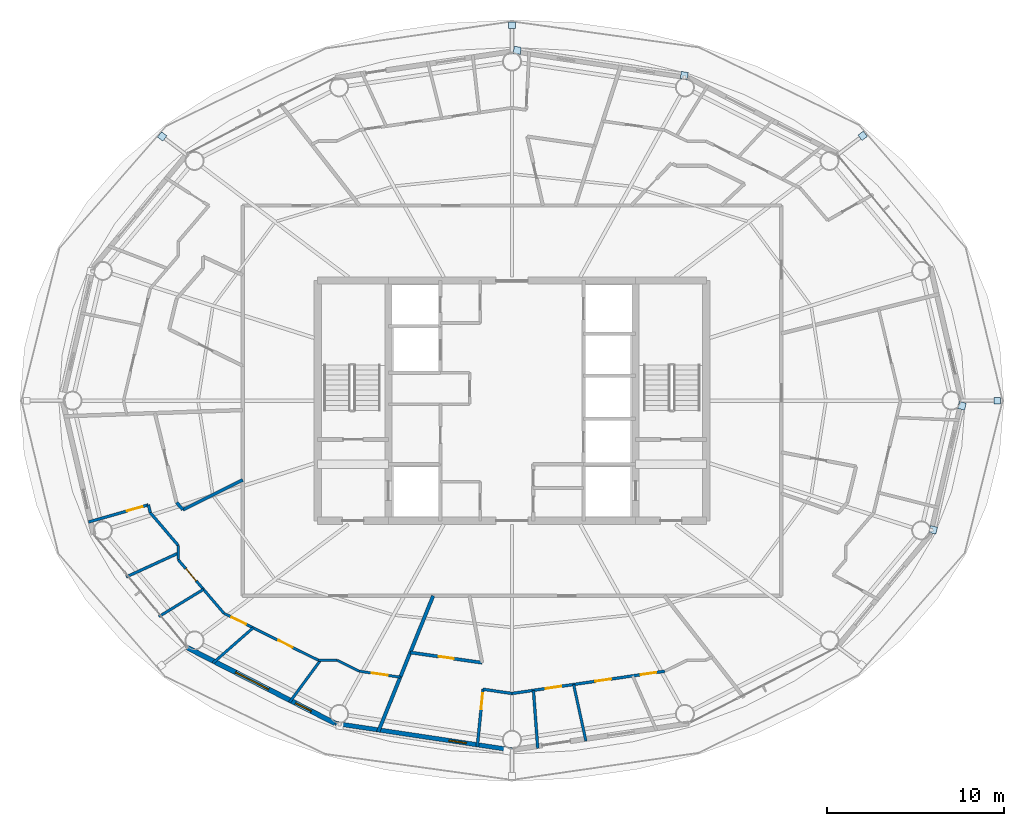
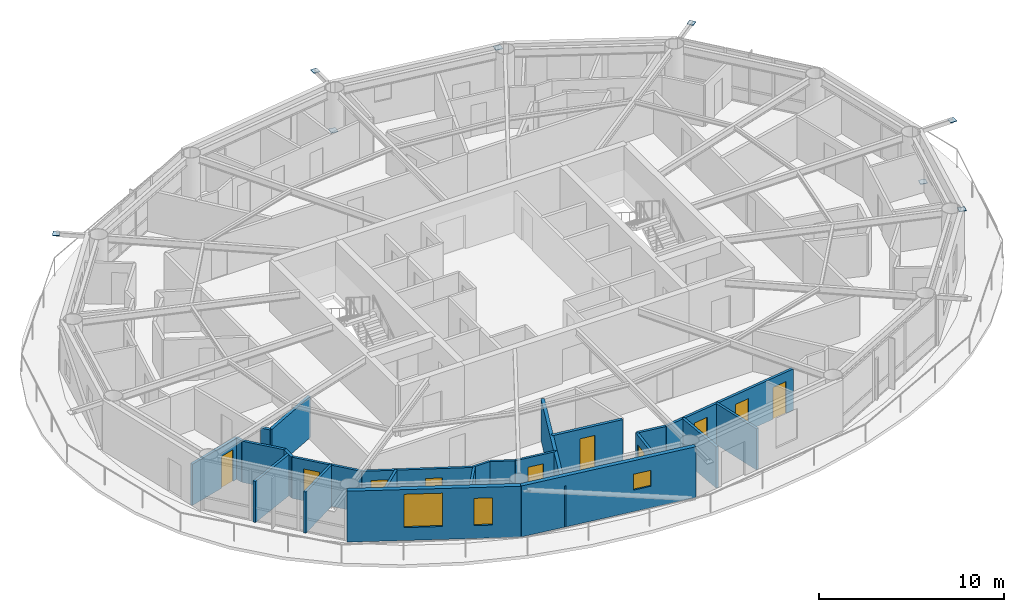
# One storey, part 15 of 23: 25 walls, 10 doors, 8 plates, 3 windows, 13 openings.
"""IFC4 building model written with IfcOpenShell, lengths in metres."""

from ifc_helpers import new_model, si_unit, direction, frame, frame_2d, origin, origin_2d, place, context, subcontext, project, spatial, rectangle, extrude, material, layer, layer_set, type_object, element, fill, save


model = new_model("IFC4")

# Units and contexts
model_context = context("Model", 3, precision=1e-05, world=origin(), true_north=direction((0.0, 1.0)))
body_context = subcontext(model_context, "Body", "Model", "MODEL_VIEW")
ifc_project = project(units=[si_unit("LENGTHUNIT", "METRE"), si_unit("AREAUNIT", "SQUARE_METRE"), si_unit("VOLUMEUNIT", "CUBIC_METRE"), si_unit("PLANEANGLEUNIT", "RADIAN"), si_unit("MASSUNIT", "GRAM", prefix="KILO")], contexts=[model_context])

# Site, building, storey
site_placement = place(None, origin())
site = spatial("IfcSite", under=ifc_project, at=site_placement, CompositionType="ELEMENT")
building_placement = place(site_placement, origin())
building = spatial("IfcBuilding", under=site, at=building_placement, Name="Sarneth Arch Tower", CompositionType="ELEMENT")
storey_placement = place(building_placement, frame((0.0, 0.0, 238.800048828125)))
storey = spatial("IfcBuildingStorey", under=building, at=storey_placement, Name="L61", CompositionType="ELEMENT", Elevation=238.800048828125)

# Plates
ifc_material_1 = material(Name="Steel S355", Category="steel")
ifc_layer_1 = layer(ifc_material_1, 0.035888671875)
ifc_layer_set_1 = layer_set([ifc_layer_1], Name="Steel S355")
plate_type = type_object("IfcPlateType", Name="PLT-GUSSET-30", PredefinedType="SHEET", material=ifc_layer_set_1)
for number, where, z_axis, x_axis, name in (
    (1, (75.481689453125, 42.0, 3.18212890625), (0.0, 0.0, 1.0), (1.0, 0.0, 0.0), "Steel end cap plate GP-1"),
    (2, (67.853515625, 56.9951171875, 3.18212890625), (0.0, 0.0, 1.0), (0.798004853043, 0.602651022168, 0.0), "Steel end cap plate GP-1"),
):
    element("IfcPlate", number, at=place(storey_placement, frame(where, z_axis=z_axis, x_axis=x_axis)), inside=storey, type_object=plate_type, Name=name, PredefinedType="SHEET", context=body_context, shape_type="SweptSolid", body=[
        extrude(rectangle(XDim=0.3798828125, YDim=0.3798828125, at=origin_2d()), origin(), (0.0, 0.0, 1.0), 0.035888671875),
    ])
for number, where, z_axis, x_axis, name in (
    (3, (48.296630859375, 61.83544921875, 0.001953125), (0.0, 0.0, 1.0), (-0.988860535448, 0.148845024885, 0.0), "Steel end cap plate GP-1"),
    (4, (57.754150390625, 60.411376953125, 3.0185546875), (0.0, 0.0, 1.0), (-0.988860535448, 0.148845024885, 0.0), "Steel end cap plate GP-1"),
):
    element("IfcPlate", number, at=place(storey_placement, frame(where, z_axis=z_axis, x_axis=x_axis)), inside=storey, type_object=plate_type, Name=name, PredefinedType="SHEET", context=body_context, shape_type="SweptSolid", body=[
        extrude(rectangle(XDim=0.404052734375, YDim=0.404052734375, at=origin_2d()), origin(), (0.0, 0.0, 1.0), 0.035888671875),
    ])
for number, where, z_axis, x_axis, name in (
    (5, (48.0, 63.25146484375, 3.18212890625), (0.0, 0.0, 1.0), (0.0, 1.0, 0.0), "Steel end cap plate GP-1"),
    (6, (28.1923828125, 56.96044921875, 3.18212890625), (0.0, 0.0, 1.0), (-0.798004853043, 0.602651022168, 0.0), "Steel end cap plate GP-1"),
):
    element("IfcPlate", number, at=place(storey_placement, frame(where, z_axis=z_axis, x_axis=x_axis)), inside=storey, type_object=plate_type, Name=name, PredefinedType="SHEET", context=body_context, shape_type="SweptSolid", body=[
        extrude(rectangle(XDim=0.3798828125, YDim=0.3798828125, at=origin_2d()), origin(), (0.0, 0.0, 1.0), 0.035888671875),
    ])
for number, where, z_axis, x_axis, name in (
    (7, (73.4765625, 41.707763671875, 0.001953125), (0.0, 0.0, 1.0), (0.225461202458, 0.974252147129, 0.0), "Steel end cap plate GP-1"),
    (8, (71.851806640625, 34.6845703125, 3.0185546875), (0.0, 0.0, 1.0), (0.225461202458, 0.974252147129, 0.0), "Steel end cap plate GP-1"),
):
    element("IfcPlate", number, at=place(storey_placement, frame(where, z_axis=z_axis, x_axis=x_axis)), inside=storey, type_object=plate_type, Name=name, PredefinedType="SHEET", context=body_context, shape_type="SweptSolid", body=[
        extrude(rectangle(XDim=0.404052734375, YDim=0.404052734375, at=origin_2d()), origin(), (0.0, 0.0, 1.0), 0.035888671875),
    ])

# Wall, opening, window
ifc_material_2 = material(Name="Extruded terracotta rainscreen on Concrete C40/50 backing", Category="masonry")
ifc_layer_2 = layer(ifc_material_2, 0.25)
ifc_layer_set_2 = layer_set([ifc_layer_2], Name="Extruded terracotta rainscreen on Concrete C40/50 backing")
wall_type_1 = type_object("IfcWallType", Name="WALL-EXT-SPAND-250", PredefinedType="SOLIDWALL", material=ifc_layer_set_2)
wall_1_placement = place(storey_placement, frame((37.9873046875, 23.7255859375, 0.0), z_axis=(0.0, 0.0, 1.0), x_axis=(0.988882522213, -0.148698881169, 0.0)))
wall_1 = element("IfcWall", 9, at=wall_1_placement, inside=storey, type_object=wall_type_1, Name="L61 Terracotta perimeter wall 12", PredefinedType="SOLIDWALL", context=body_context, shape_type="SweptSolid", body=[
    extrude(rectangle(XDim=10.125244140625, YDim=0.25, at=frame_2d((5.0625, 0.0))), origin(), (0.0, 0.0, 1.0), 3.35986328125),
])
opening_1_placement = place(wall_1_placement, frame((6.51611328125, 0.0, 1.419921875)))
opening_1 = element("IfcOpeningElement", 10, at=opening_1_placement, cuts=wall_1, Name="Opening W-14", PredefinedType="OPENING", context=body_context, shape_type="SweptSolid", body=[
    extrude(rectangle(XDim=1.0, YDim=1.050048828125, at=frame_2d((0.5, 0.52490234375))), frame((0.0, 0.135009765625, 0.0), z_axis=(0.0, -1.0, 0.0), x_axis=(1.0, 0.0, 0.0)), (0.0, 0.0, 1.0), 0.27001953125),
])
ifc_material_3 = material(Name="Thermally broken Aluminium 6063-T6 and low-e laminated IGU", Category="aluminium")
window_type_1 = type_object("IfcWindowType", Name="WIN-TWR-1000x1050", PartitioningType="SINGLE_PANEL", PredefinedType="WINDOW", material=ifc_material_3)
window_1_placement = place(opening_1_placement, origin())
window_1 = element("IfcWindow", 11, at=window_1_placement, inside=storey, type_object=window_type_1, Name="L61 Dwelling bedroom window 05", OverallHeight=1.050048828125, OverallWidth=1.0, PartitioningType="SINGLE_PANEL", PredefinedType="WINDOW", context=body_context, shape_type="SweptSolid", body=[
    extrude(rectangle(XDim=1.0, YDim=1.050048828125, at=frame_2d((0.5, 0.52490234375))), frame((0.0, 0.030029296875, 0.0), z_axis=(0.0, -1.0, 0.0), x_axis=(1.0, 0.0, 0.0)), (0.0, 0.0, 1.0), 0.06005859375),
])
fill(opening_1, window_1)

# Wall, openings, windows
ifc_material_4 = material(Name="Extruded terracotta rainscreen on Concrete C40/50 backing", Category="masonry")
ifc_layer_3 = layer(ifc_material_4, 0.280029296875)
ifc_layer_set_3 = layer_set([ifc_layer_3], Name="Extruded terracotta rainscreen on Concrete C40/50 backing")
wall_type_2 = type_object("IfcWallType", Name="WALL-EXT-TERRA-280", PredefinedType="SOLIDWALL", material=ifc_layer_set_3)
wall_2_placement = place(storey_placement, frame((29.617431640625, 28.013427734375, 0.0), z_axis=(0.0, 0.0, 1.0), x_axis=(0.890007394051, -0.455946091699, 0.0)))
wall_2 = element("IfcWall", 12, at=wall_2_placement, inside=storey, type_object=wall_type_2, Name="L61 Terracotta perimeter wall 11", PredefinedType="SOLIDWALL", context=body_context, shape_type="SweptSolid", body=[
    extrude(rectangle(XDim=9.404296875, YDim=0.280029296875, at=frame_2d((4.7021484375, 0.0))), origin(), (0.0, 0.0, 1.0), 3.35986328125),
])
opening_2_placement = place(wall_2_placement, frame((3.073486328125, 0.0, 0.85009765625)))
opening_2 = element("IfcOpeningElement", 13, at=opening_2_placement, cuts=wall_2, Name="Opening W-03", PredefinedType="OPENING", context=body_context, shape_type="SweptSolid", body=[
    extrude(rectangle(XDim=2.10009765625, YDim=2.199951171875, at=frame_2d((1.050048828125, 1.10009765625))), frame((0.0, 0.14990234375, 0.0), z_axis=(0.0, -1.0, 0.0), x_axis=(1.0, 0.0, 0.0)), (0.0, 0.0, 1.0), 0.300048828125),
])
opening_3_placement = place(wall_2_placement, frame((6.8828125, 0.0, 0.85009765625)))
opening_3 = element("IfcOpeningElement", 14, at=opening_3_placement, cuts=wall_2, Name="Opening W-11", PredefinedType="OPENING", context=body_context, shape_type="SweptSolid", body=[
    extrude(rectangle(XDim=1.0, YDim=1.800048828125, at=frame_2d((0.5, 0.89990234375))), frame((0.0, 0.14990234375, 0.0), z_axis=(0.0, -1.0, 0.0), x_axis=(1.0, 0.0, 0.0)), (0.0, 0.0, 1.0), 0.300048828125),
])
ifc_material_5 = material(Name="Thermally broken Aluminium 6063-T6 and low-e laminated IGU", Category="aluminium")
window_type_2 = type_object("IfcWindowType", Name="WIN-TWR-1000x1800", PartitioningType="SINGLE_PANEL", PredefinedType="WINDOW", material=ifc_material_5)
window_2_placement = place(opening_3_placement, origin())
window_2 = element("IfcWindow", 15, at=window_2_placement, inside=storey, type_object=window_type_2, Name="L61 Exterior window 11B", OverallHeight=1.800048828125, OverallWidth=1.0, PartitioningType="SINGLE_PANEL", PredefinedType="WINDOW", context=body_context, shape_type="SweptSolid", body=[
    extrude(rectangle(XDim=1.0, YDim=1.800048828125, at=frame_2d((0.5, 0.89990234375))), frame((0.0, 0.030029296875, 0.0), z_axis=(0.0, -1.0, 0.0), x_axis=(1.0, 0.0, 0.0)), (0.0, 0.0, 1.0), 0.06005859375),
])
fill(opening_3, window_2)
ifc_material_6 = material(Name="Thermally broken Aluminium 6063-T6 and low-e laminated IGU", Category="aluminium")
window_type_3 = type_object("IfcWindowType", Name="WIN-TWR-2100x2200", PartitioningType="DOUBLE_PANEL_VERTICAL", PredefinedType="WINDOW", material=ifc_material_6)
window_3_placement = place(opening_2_placement, origin())
window_3 = element("IfcWindow", 16, at=window_3_placement, inside=storey, type_object=window_type_3, Name="L61 Exterior window 11A", OverallHeight=2.199951171875, OverallWidth=2.10009765625, PartitioningType="SINGLE_PANEL", PredefinedType="WINDOW", context=body_context, shape_type="SweptSolid", body=[
    extrude(rectangle(XDim=2.10009765625, YDim=2.199951171875, at=frame_2d((1.050048828125, 1.10009765625))), frame((0.0, 0.030029296875, 0.0), z_axis=(0.0, -1.0, 0.0), x_axis=(1.0, 0.0, 0.0)), (0.0, 0.0, 1.0), 0.06005859375),
])
fill(opening_2, window_3)

# Wall, opening, door
ifc_material_7 = material(Name="Apartment internal stud partition", Category="gypsum")
ifc_layer_4 = layer(ifc_material_7, 0.139892578125)
ifc_layer_set_4 = layer_set([ifc_layer_4], Name="Apartment internal stud partition")
wall_type_3 = type_object("IfcWallType", Name="WALL-PART-140", PredefinedType="PARTITIONING", material=ifc_layer_set_4)
wall_3_placement = place(storey_placement, frame((41.673828125, 26.342529296875, 0.0), z_axis=(0.0, 0.0, 1.0), x_axis=(-0.989532363779, 0.144311125814, 0.0)))
wall_3 = element("IfcWall", 17, at=wall_3_placement, inside=storey, type_object=wall_type_3, Name="L61 Interior partition W-L61-TP-089", PredefinedType="PARTITIONING", context=body_context, shape_type="SweptSolid", body=[
    extrude(rectangle(XDim=2.353271484375, YDim=0.139892578125, at=frame_2d((1.1767578125, 0.0))), origin(), (0.0, 0.0, 1.0), 2.719970703125),
])
opening_4_placement = place(wall_3_placement, frame((0.726806640625, 0.0, 0.0)))
opening_4 = element("IfcOpeningElement", 18, at=opening_4_placement, cuts=wall_3, Name="Opening ID-01", PredefinedType="OPENING", context=body_context, shape_type="SweptSolid", body=[
    extrude(rectangle(XDim=0.89990234375, YDim=2.10009765625, at=frame_2d((0.449951171875, 1.050048828125))), frame((0.0, 0.079833984375, 0.0), z_axis=(0.0, -1.0, 0.0), x_axis=(1.0, 0.0, 0.0)), (0.0, 0.0, 1.0), 0.159912109375),
])
ifc_material_8 = material(Name="Engineered hardwood flush door", Category="wood")
door_type_1 = type_object("IfcDoorType", Name="DR-INT-900", OperationType="SINGLE_SWING_LEFT", PredefinedType="DOOR", material=ifc_material_8)
door_1_placement = place(opening_4_placement, origin())
door_1 = element("IfcDoor", 19, at=door_1_placement, inside=storey, type_object=door_type_1, Name="L61 Interior door DR-L61-U4-BED3", OperationType="SINGLE_SWING_LEFT", OverallHeight=2.10009765625, OverallWidth=0.89990234375, PredefinedType="DOOR", context=body_context, shape_type="SweptSolid", body=[
    extrude(rectangle(XDim=0.89990234375, YDim=2.10009765625, at=frame_2d((0.449951171875, 1.050048828125))), frame((0.0, 0.02490234375, 0.0), z_axis=(0.0, -1.0, 0.0), x_axis=(1.0, 0.0, 0.0)), (0.0, 0.0, 1.0), 0.050048828125),
])
fill(opening_4, door_1)

# Walls
wall_4_placement = place(storey_placement, frame((39.34521484375, 26.68212890625, 0.0), z_axis=(0.0, 0.0, 1.0), x_axis=(-0.895584310315, 0.444891833053, 0.0)))
element("IfcWall", 20, at=wall_4_placement, inside=storey, type_object=wall_type_3, Name="L61 Interior partition W-L61-TP-090", PredefinedType="PARTITIONING", context=body_context, shape_type="SweptSolid", body=[
    extrude(rectangle(XDim=1.388916015625, YDim=0.139892578125, at=frame_2d((0.6943359375, 0.0))), origin(), (0.0, 0.0, 1.0), 2.719970703125),
])
wall_5_placement = place(storey_placement, frame((38.101318359375, 27.300048828125, 0.0), z_axis=(0.0, 0.0, 1.0), x_axis=(-1.0, 0.0, 0.0)))
element("IfcWall", 21, at=wall_5_placement, inside=storey, type_object=wall_type_3, Name="L61 Interior partition W-L61-TP-091", PredefinedType="PARTITIONING", context=body_context, shape_type="SweptSolid", body=[
    extrude(rectangle(XDim=1.065185546875, YDim=0.139892578125, at=frame_2d((0.53271484375, 0.0))), origin(), (0.0, 0.0, 1.0), 2.719970703125),
])

# Wall, openings, doors
ifc_material_9 = material(Name="Acoustic gypsum stud partition", Category="gypsum")
ifc_layer_5 = layer(ifc_material_9, 0.14990234375)
ifc_layer_set_5 = layer_set([ifc_layer_5], Name="Acoustic gypsum stud partition")
wall_type_4 = type_object("IfcWallType", Name="WALL-PART-150", PredefinedType="PARTITIONING", material=ifc_layer_set_5)
wall_6_placement = place(storey_placement, frame((37.0361328125, 27.300048828125, 0.0), z_axis=(0.0, 0.0, 1.0), x_axis=(-0.895471406875, 0.445119039661, 0.0)))
wall_6 = element("IfcWall", 22, at=wall_6_placement, inside=storey, type_object=wall_type_4, Name="L61 Interior partition W-L61-TP-088", PredefinedType="PARTITIONING", context=body_context, shape_type="SweptSolid", body=[
    extrude(rectangle(XDim=5.971435546875, YDim=0.14990234375, at=frame_2d((2.98583984375, 0.0))), origin(), (0.0, 0.0, 1.0), 2.719970703125),
])
opening_5_placement = place(wall_6_placement, frame((1.630615234375, 0.0, 0.0)))
opening_5 = element("IfcOpeningElement", 23, at=opening_5_placement, cuts=wall_6, Name="Opening ID-01", PredefinedType="OPENING", context=body_context, shape_type="SweptSolid", body=[
    extrude(rectangle(XDim=0.89990234375, YDim=2.10009765625, at=frame_2d((0.449951171875, 1.050048828125))), frame((0.0, 0.0849609375, 0.0), z_axis=(0.0, -1.0, 0.0), x_axis=(1.0, 0.0, 0.0)), (0.0, 0.0, 1.0), 0.169921875),
])
opening_6_placement = place(wall_6_placement, frame((4.581787109375, 0.0, 0.0)))
opening_6 = element("IfcOpeningElement", 24, at=opening_6_placement, cuts=wall_6, Name="Opening ID-01", PredefinedType="OPENING", context=body_context, shape_type="SweptSolid", body=[
    extrude(rectangle(XDim=0.89990234375, YDim=2.10009765625, at=frame_2d((0.449951171875, 1.050048828125))), frame((0.0, 0.0849609375, 0.0), z_axis=(0.0, -1.0, 0.0), x_axis=(1.0, 0.0, 0.0)), (0.0, 0.0, 1.0), 0.169921875),
])
door_2_placement = place(opening_5_placement, origin())
door_2 = element("IfcDoor", 25, at=door_2_placement, inside=storey, type_object=door_type_1, Name="L61 Interior door DR-L61-U4-BED2", OperationType="SINGLE_SWING_LEFT", OverallHeight=2.10009765625, OverallWidth=0.89990234375, PredefinedType="DOOR", context=body_context, shape_type="SweptSolid", body=[
    extrude(rectangle(XDim=0.89990234375, YDim=2.10009765625, at=frame_2d((0.449951171875, 1.050048828125))), frame((0.0, 0.02490234375, 0.0), z_axis=(0.0, -1.0, 0.0), x_axis=(1.0, 0.0, 0.0)), (0.0, 0.0, 1.0), 0.050048828125),
])
fill(opening_5, door_2)
door_3_placement = place(opening_6_placement, origin())
door_3 = element("IfcDoor", 26, at=door_3_placement, inside=storey, type_object=door_type_1, Name="L61 Interior door DR-L61-U4-BED1", OperationType="SINGLE_SWING_LEFT", OverallHeight=2.10009765625, OverallWidth=0.89990234375, PredefinedType="DOOR", context=body_context, shape_type="SweptSolid", body=[
    extrude(rectangle(XDim=0.89990234375, YDim=2.10009765625, at=frame_2d((0.449951171875, 1.050048828125))), frame((0.0, 0.02490234375, 0.0), z_axis=(0.0, -1.0, 0.0), x_axis=(1.0, 0.0, 0.0)), (0.0, 0.0, 1.0), 0.050048828125),
])
fill(opening_6, door_3)

# Walls
wall_7_placement = place(storey_placement, frame((52.184814453125, 22.72802734375, 0.0), z_axis=(0.0, 0.0, 1.0), x_axis=(-0.212200652442, 0.977226116671, 0.0)))
element("IfcWall", 27, at=wall_7_placement, inside=storey, type_object=wall_type_4, Name="L61 Interior partition W-L61-TP-112", PredefinedType="PARTITIONING", context=body_context, shape_type="SweptSolid", body=[
    extrude(rectangle(XDim=3.275634765625, YDim=0.14990234375, at=frame_2d((1.6376953125, 0.0))), origin(), (0.0, 0.0, 1.0), 2.719970703125),
])
wall_8_placement = place(storey_placement, frame((31.069580078125, 27.144287109375, 0.0), z_axis=(0.0, 0.0, 1.0), x_axis=(0.751664931329, 0.659545169803, 0.0)))
element("IfcWall", 28, at=wall_8_placement, inside=storey, type_object=wall_type_4, Name="L61 Interior partition W-L61-TP-096", PredefinedType="PARTITIONING", context=body_context, shape_type="SweptSolid", body=[
    extrude(rectangle(XDim=3.021240234375, YDim=0.14990234375, at=frame_2d((1.5107421875, 0.0))), origin(), (0.0, 0.0, 1.0), 2.719970703125),
])
wall_9_placement = place(storey_placement, frame((35.400634765625, 24.917724609375, 0.0), z_axis=(0.0, 0.0, 1.0), x_axis=(0.593567519028, 0.804784194897, 0.0)))
element("IfcWall", 29, at=wall_9_placement, inside=storey, type_object=wall_type_4, Name="L61 Interior partition W-L61-TP-097", PredefinedType="PARTITIONING", context=body_context, shape_type="SweptSolid", body=[
    extrude(rectangle(XDim=2.960205078125, YDim=0.14990234375, at=frame_2d((1.47998046875, 0.0))), origin(), (0.0, 0.0, 1.0), 2.719970703125),
])
wall_10_placement = place(storey_placement, frame((28.007080078125, 29.772705078125, 0.0), z_axis=(0.0, 0.0, 1.0), x_axis=(0.853114487653, 0.521723749657, 0.0)))
element("IfcWall", 30, at=wall_10_placement, inside=storey, type_object=wall_type_4, Name="L61 Interior partition W-L61-TP-095", PredefinedType="PARTITIONING", context=body_context, shape_type="SweptSolid", body=[
    extrude(rectangle(XDim=2.9580078125, YDim=0.14990234375, at=frame_2d((1.47900390625, 0.0))), origin(), (0.0, 0.0, 1.0), 2.719970703125),
])

# Wall, opening, door
wall_11_placement = place(storey_placement, frame((31.688720703125, 29.9580078125, 0.0), z_axis=(0.0, 0.0, 1.0), x_axis=(-0.648949732188, 0.760831285564, 0.0)))
wall_11 = element("IfcWall", 31, at=wall_11_placement, inside=storey, type_object=wall_type_4, Name="L61 Interior partition W-L61-TP-076", PredefinedType="PARTITIONING", context=body_context, shape_type="SweptSolid", body=[
    extrude(rectangle(XDim=3.989013671875, YDim=0.14990234375, at=frame_2d((1.99462890625, 0.0))), origin(), (0.0, 0.0, 1.0), 2.719970703125),
])
opening_7_placement = place(wall_11_placement, frame((2.4208984375, 0.0, 0.0)))
opening_7 = element("IfcOpeningElement", 32, at=opening_7_placement, cuts=wall_11, Name="Opening ID-01", PredefinedType="OPENING", context=body_context, shape_type="SweptSolid", body=[
    extrude(rectangle(XDim=0.89990234375, YDim=2.10009765625, at=frame_2d((0.449951171875, 1.050048828125))), frame((0.0, 0.0849609375, 0.0), z_axis=(0.0, -1.0, 0.0), x_axis=(1.0, 0.0, 0.0)), (0.0, 0.0, 1.0), 0.169921875),
])
door_4_placement = place(opening_7_placement, origin())
door_4 = element("IfcDoor", 33, at=door_4_placement, inside=storey, type_object=door_type_1, Name="L61 Interior door DR-L61-U4-STD", OperationType="SINGLE_SWING_RIGHT", OverallHeight=2.10009765625, OverallWidth=0.89990234375, PredefinedType="DOOR", context=body_context, shape_type="SweptSolid", body=[
    extrude(rectangle(XDim=0.89990234375, YDim=2.10009765625, at=frame_2d((0.449951171875, 1.050048828125))), frame((0.0, 0.02490234375, 0.0), z_axis=(0.0, -1.0, 0.0), x_axis=(1.0, 0.0, 0.0)), (0.0, 0.0, 1.0), 0.050048828125),
])
fill(opening_7, door_4)

ifc_material_10 = material(Name="Kitchen wet service chase wall", Category="gypsum")
ifc_layer_6 = layer(ifc_material_10, 0.159912109375)
ifc_layer_set_6 = layer_set([ifc_layer_6], Name="Kitchen wet service chase wall")
wall_type_5 = type_object("IfcWallType", Name="WALL-PLUMB-160", PredefinedType="PLUMBINGWALL", material=ifc_layer_set_6)
wall_12_placement = place(storey_placement, frame((24.021728515625, 35.127197265625, 0.0), z_axis=(0.0, 0.0, 1.0), x_axis=(0.961283331924, 0.275561890988, 0.0)))
wall_12 = element("IfcWall", 34, at=wall_12_placement, inside=storey, type_object=wall_type_5, Name="L61 Interior partition W-L61-TP-078", PredefinedType="PLUMBINGWALL", context=body_context, shape_type="SweptSolid", body=[
    extrude(rectangle(XDim=3.52783203125, YDim=0.159912109375, at=frame_2d((1.763916015625, 0.0))), origin(), (0.0, 0.0, 1.0), 2.719970703125),
])
opening_8_placement = place(wall_12_placement, frame((2.27392578125, 0.0, 0.0)))
opening_8 = element("IfcOpeningElement", 35, at=opening_8_placement, cuts=wall_12, Name="Opening ID-01", PredefinedType="OPENING", context=body_context, shape_type="SweptSolid", body=[
    extrude(rectangle(XDim=0.89990234375, YDim=2.10009765625, at=frame_2d((0.449951171875, 1.050048828125))), frame((0.0, 0.08984375, 0.0), z_axis=(0.0, -1.0, 0.0), x_axis=(1.0, 0.0, 0.0)), (0.0, 0.0, 1.0), 0.179931640625),
])
door_5_placement = place(opening_8_placement, origin())
door_5 = element("IfcDoor", 36, at=door_5_placement, inside=storey, type_object=door_type_1, Name="L61 Interior door DR-L61-U4-KIT", OperationType="SINGLE_SWING_RIGHT", OverallHeight=2.10009765625, OverallWidth=0.89990234375, PredefinedType="DOOR", context=body_context, shape_type="SweptSolid", body=[
    extrude(rectangle(XDim=0.89990234375, YDim=2.10009765625, at=frame_2d((0.449951171875, 1.050048828125))), frame((0.0, 0.02490234375, 0.0), z_axis=(0.0, -1.0, 0.0), x_axis=(1.0, 0.0, 0.0)), (0.0, 0.0, 1.0), 0.050048828125),
])
fill(opening_8, door_5)

# Wall, openings, doors
wall_13_placement = place(storey_placement, frame((48.0, 25.420166015625, 0.0), z_axis=(0.0, 0.0, 1.0), x_axis=(0.989540121389, 0.144257922351, 0.0)))
wall_13 = element("IfcWall", 37, at=wall_13_placement, inside=storey, type_object=wall_type_5, Name="L61 Interior partition W-L61-TP-105", PredefinedType="PLUMBINGWALL", context=body_context, shape_type="SweptSolid", body=[
    extrude(rectangle(XDim=8.746337890625, YDim=0.159912109375, at=frame_2d((4.373046875, 0.0))), origin(), (0.0, 0.0, 1.0), 2.719970703125),
])
opening_9_placement = place(wall_13_placement, frame((4.7646484375, 0.0, 0.0)))
opening_9 = element("IfcOpeningElement", 38, at=opening_9_placement, cuts=wall_13, Name="Opening ID-01", PredefinedType="OPENING", context=body_context, shape_type="SweptSolid", body=[
    extrude(rectangle(XDim=0.89990234375, YDim=2.10009765625, at=frame_2d((0.449951171875, 1.050048828125))), frame((0.0, 0.08984375, 0.0), z_axis=(0.0, -1.0, 0.0), x_axis=(1.0, 0.0, 0.0)), (0.0, 0.0, 1.0), 0.179931640625),
])
opening_10_placement = place(wall_13_placement, frame((1.927001953125, 0.0, 0.0)))
opening_10 = element("IfcOpeningElement", 39, at=opening_10_placement, cuts=wall_13, Name="Opening ID-01", PredefinedType="OPENING", context=body_context, shape_type="SweptSolid", body=[
    extrude(rectangle(XDim=0.89990234375, YDim=2.10009765625, at=frame_2d((0.449951171875, 1.050048828125))), frame((0.0, 0.08984375, 0.0), z_axis=(0.0, -1.0, 0.0), x_axis=(1.0, 0.0, 0.0)), (0.0, 0.0, 1.0), 0.179931640625),
])
opening_11_placement = place(wall_13_placement, frame((7.35791015625, 0.0, 0.0)))
opening_11 = element("IfcOpeningElement", 40, at=opening_11_placement, cuts=wall_13, Name="Opening ID-01", PredefinedType="OPENING", context=body_context, shape_type="SweptSolid", body=[
    extrude(rectangle(XDim=0.89990234375, YDim=2.10009765625, at=frame_2d((0.449951171875, 1.050048828125))), frame((0.0, 0.08984375, 0.0), z_axis=(0.0, -1.0, 0.0), x_axis=(1.0, 0.0, 0.0)), (0.0, 0.0, 1.0), 0.179931640625),
])
door_6_placement = place(opening_9_placement, origin())
door_6 = element("IfcDoor", 41, at=door_6_placement, inside=storey, type_object=door_type_1, Name="L61 Interior door DR-L61-U5-BED2", OperationType="SINGLE_SWING_LEFT", OverallHeight=2.10009765625, OverallWidth=0.89990234375, PredefinedType="DOOR", context=body_context, shape_type="SweptSolid", body=[
    extrude(rectangle(XDim=0.89990234375, YDim=2.10009765625, at=frame_2d((0.449951171875, 1.050048828125))), frame((0.0, 0.02490234375, 0.0), z_axis=(0.0, -1.0, 0.0), x_axis=(1.0, 0.0, 0.0)), (0.0, 0.0, 1.0), 0.050048828125),
])
fill(opening_9, door_6)
door_7_placement = place(opening_10_placement, origin())
door_7 = element("IfcDoor", 42, at=door_7_placement, inside=storey, type_object=door_type_1, Name="L61 Interior door DR-L61-U5-BED1", OperationType="SINGLE_SWING_RIGHT", OverallHeight=2.10009765625, OverallWidth=0.89990234375, PredefinedType="DOOR", context=body_context, shape_type="SweptSolid", body=[
    extrude(rectangle(XDim=0.89990234375, YDim=2.10009765625, at=frame_2d((0.449951171875, 1.050048828125))), frame((0.0, 0.02490234375, 0.0), z_axis=(0.0, -1.0, 0.0), x_axis=(1.0, 0.0, 0.0)), (0.0, 0.0, 1.0), 0.050048828125),
])
fill(opening_10, door_7)
door_8_placement = place(opening_11_placement, origin())
door_8 = element("IfcDoor", 43, at=door_8_placement, inside=storey, type_object=door_type_1, Name="L61 Interior door DR-L61-U5-BED3", OperationType="SINGLE_SWING_RIGHT", OverallHeight=2.10009765625, OverallWidth=0.89990234375, PredefinedType="DOOR", context=body_context, shape_type="SweptSolid", body=[
    extrude(rectangle(XDim=0.89990234375, YDim=2.10009765625, at=frame_2d((0.449951171875, 1.050048828125))), frame((0.0, 0.02490234375, 0.0), z_axis=(0.0, -1.0, 0.0), x_axis=(1.0, 0.0, 0.0)), (0.0, 0.0, 1.0), 0.050048828125),
])
fill(opening_11, door_8)

# Wall
wall_14_placement = place(storey_placement, frame((49.45751953125, 22.318115234375, 0.0), z_axis=(0.0, 0.0, 1.0), x_axis=(-0.073879890619, 0.997267146637, 0.0)))
element("IfcWall", 44, at=wall_14_placement, inside=storey, type_object=wall_type_5, Name="L61 Interior partition W-L61-TP-111", PredefinedType="PLUMBINGWALL", context=body_context, shape_type="SweptSolid", body=[
    extrude(rectangle(XDim=3.2880859375, YDim=0.159912109375, at=frame_2d((1.64404296875, 0.0))), origin(), (0.0, 0.0, 1.0), 2.719970703125),
])

# Wall, opening, door
wall_15_placement = place(storey_placement, frame((46.36181640625, 25.658935546875, 0.0), z_axis=(0.0, 0.0, 1.0), x_axis=(-0.099783673114, -0.995009155023, 0.0)))
wall_15 = element("IfcWall", 45, at=wall_15_placement, inside=storey, type_object=wall_type_5, Name="L61 Interior partition W-L61-TP-101", PredefinedType="PLUMBINGWALL", context=body_context, shape_type="SweptSolid", body=[
    extrude(rectangle(XDim=3.281005859375, YDim=0.159912109375, at=frame_2d((1.640625, 0.0))), origin(), (0.0, 0.0, 1.0), 2.719970703125),
])
opening_12_placement = place(wall_15_placement, frame((0.23046875, 0.0, 0.0)))
opening_12 = element("IfcOpeningElement", 46, at=opening_12_placement, cuts=wall_15, Name="Opening ID-01", PredefinedType="OPENING", context=body_context, shape_type="SweptSolid", body=[
    extrude(rectangle(XDim=0.89990234375, YDim=2.10009765625, at=frame_2d((0.449951171875, 1.050048828125))), frame((0.0, 0.08984375, 0.0), z_axis=(0.0, -1.0, 0.0), x_axis=(1.0, 0.0, 0.0)), (0.0, 0.0, 1.0), 0.179931640625),
])
door_9_placement = place(opening_12_placement, origin())
door_9 = element("IfcDoor", 47, at=door_9_placement, inside=storey, type_object=door_type_1, Name="L61 Interior door DR-L61-U5-KIT", OperationType="SINGLE_SWING_LEFT", OverallHeight=2.10009765625, OverallWidth=0.89990234375, PredefinedType="DOOR", context=body_context, shape_type="SweptSolid", body=[
    extrude(rectangle(XDim=0.89990234375, YDim=2.10009765625, at=frame_2d((0.449951171875, 1.050048828125))), frame((0.0, 0.02490234375, 0.0), z_axis=(0.0, -1.0, 0.0), x_axis=(1.0, 0.0, 0.0)), (0.0, 0.0, 1.0), 0.050048828125),
])
fill(opening_12, door_9)

# Walls
wall_16_placement = place(storey_placement, frame((26.153076171875, 32.017578125, 0.0), z_axis=(0.0, 0.0, 1.0), x_axis=(0.909564814539, 0.415562087001, 0.0)))
element("IfcWall", 48, at=wall_16_placement, inside=storey, type_object=wall_type_5, Name="L61 Interior partition W-L61-TP-094", PredefinedType="PLUMBINGWALL", context=body_context, shape_type="SweptSolid", body=[
    extrude(rectangle(XDim=3.239990234375, YDim=0.159912109375, at=frame_2d((1.6201171875, 0.0))), origin(), (0.0, 0.0, 1.0), 2.719970703125),
])
wall_17_placement = place(storey_placement, frame((27.51904296875, 35.655029296875, 0.0), z_axis=(0.0, 0.0, 1.0), x_axis=(0.649270866973, -0.760557257082, 0.0)))
element("IfcWall", 49, at=wall_17_placement, inside=storey, type_object=wall_type_5, Name="L61 Interior partition W-L61-TP-080", PredefinedType="PLUMBINGWALL", context=body_context, shape_type="SweptSolid", body=[
    extrude(rectangle(XDim=2.43505859375, YDim=0.159912109375, at=frame_2d((1.217529296875, 0.0))), origin(), (0.0, 0.0, 1.0), 2.719970703125),
])
wall_18_placement = place(storey_placement, frame((48.0, 25.419921875, 0.0), z_axis=(0.0, 0.0, 1.0), x_axis=(-0.989523327183, 0.144373075605, 0.0)))
element("IfcWall", 50, at=wall_18_placement, inside=storey, type_object=wall_type_5, Name="L61 Interior partition W-L61-TP-100", PredefinedType="PLUMBINGWALL", context=body_context, shape_type="SweptSolid", body=[
    extrude(rectangle(XDim=1.655517578125, YDim=0.159912109375, at=frame_2d((0.82763671875, 0.0))), origin(), (0.0, 0.0, 1.0), 2.719970703125),
])
wall_19_placement = place(storey_placement, frame((27.4130859375, 36.099365234375, 0.0), z_axis=(0.0, 0.0, 1.0), x_axis=(0.2319577079, -0.972725871839, 0.0)))
element("IfcWall", 51, at=wall_19_placement, inside=storey, type_object=wall_type_5, Name="L61 Interior partition W-L61-TP-079", PredefinedType="PLUMBINGWALL", context=body_context, shape_type="SweptSolid", body=[
    extrude(rectangle(XDim=0.456787109375, YDim=0.159912109375, at=frame_2d((0.228515625, 0.0))), origin(), (0.0, 0.0, 1.0), 2.719970703125),
])
wall_20_placement = place(storey_placement, frame((29.10009765625, 33.802978515625, 0.0), z_axis=(0.0, 0.0, 1.0), x_axis=(0.0, -1.0, 0.0)))
element("IfcWall", 52, at=wall_20_placement, inside=storey, type_object=wall_type_5, Name="L61 Interior partition W-L61-TP-081", PredefinedType="PLUMBINGWALL", context=body_context, shape_type="SweptSolid", body=[
    extrude(rectangle(XDim=0.81005859375, YDim=0.159912109375, at=frame_2d((0.405029296875, 0.0))), origin(), (0.0, 0.0, 1.0), 2.719970703125),
])

# Wall, opening, door
ifc_material_11 = material(Name="Moisture-resistant plumbing chase wall", Category="gypsum")
ifc_layer_7 = layer(ifc_material_11, 0.179931640625)
ifc_layer_set_7 = layer_set([ifc_layer_7], Name="Moisture-resistant plumbing chase wall")
wall_type_6 = type_object("IfcWallType", Name="WALL-PLUMB-180", PredefinedType="PLUMBINGWALL", material=ifc_layer_set_7)
wall_21_placement = place(storey_placement, frame((46.30859375, 27.162109375, 0.0), z_axis=(0.0, 0.0, 1.0), x_axis=(-0.989929285776, 0.141562739319, 0.0)))
wall_21 = element("IfcWall", 53, at=wall_21_placement, inside=storey, type_object=wall_type_6, Name="L61 Interior partition W-L61-TP-103", PredefinedType="PLUMBINGWALL", context=body_context, shape_type="SweptSolid", body=[
    extrude(rectangle(XDim=4.10986328125, YDim=0.179931640625, at=frame_2d((2.054931640625, 0.0))), origin(), (0.0, 0.0, 1.0), 2.719970703125),
])
opening_13_placement = place(wall_21_placement, frame((1.6298828125, 0.0, 0.0)))
opening_13 = element("IfcOpeningElement", 54, at=opening_13_placement, cuts=wall_21, Name="Opening ID-02", PredefinedType="OPENING", context=body_context, shape_type="SweptSolid", body=[
    extrude(rectangle(XDim=0.85009765625, YDim=2.10009765625, at=frame_2d((0.425048828125, 1.050048828125))), frame((0.0, 0.099853515625, 0.0), z_axis=(0.0, -1.0, 0.0), x_axis=(1.0, 0.0, 0.0)), (0.0, 0.0, 1.0), 0.199951171875),
])
ifc_material_12 = material(Name="Moisture-resistant bathroom timber door", Category="wood")
door_type_2 = type_object("IfcDoorType", Name="DR-INT-850", OperationType="SINGLE_SWING_RIGHT", PredefinedType="DOOR", material=ifc_material_12)
door_10_placement = place(opening_13_placement, origin())
door_10 = element("IfcDoor", 55, at=door_10_placement, inside=storey, type_object=door_type_2, Name="L61 Interior door DR-L61-U5-BATH", OperationType="SINGLE_SWING_RIGHT", OverallHeight=2.10009765625, OverallWidth=0.85009765625, PredefinedType="DOOR", context=body_context, shape_type="SweptSolid", body=[
    extrude(rectangle(XDim=0.85009765625, YDim=2.10009765625, at=frame_2d((0.425048828125, 1.050048828125))), frame((0.0, 0.02490234375, 0.0), z_axis=(0.0, -1.0, 0.0), x_axis=(1.0, 0.0, 0.0)), (0.0, 0.0, 1.0), 0.050048828125),
])
fill(opening_13, door_10)

# Walls
wall_22_placement = place(storey_placement, frame((32.75, 37.50634765625, 0.0), z_axis=(0.0, 0.0, 1.0), x_axis=(-0.895689326872, -0.444680368049, 0.0)))
element("IfcWall", 56, at=wall_22_placement, inside=storey, type_object=wall_type_6, Name="L61 Interior partition W-L61-TP-082", PredefinedType="PLUMBINGWALL", context=body_context, shape_type="SweptSolid", body=[
    extrude(rectangle(XDim=3.780517578125, YDim=0.179931640625, at=frame_2d((1.89013671875, 0.0))), origin(), (0.0, 0.0, 1.0), 2.719970703125),
])
wall_23_placement = place(storey_placement, frame((29.36376953125, 35.8251953125, 0.0), z_axis=(0.0, 0.0, 1.0), x_axis=(-0.656370670785, 0.754438561139, 0.0)))
element("IfcWall", 57, at=wall_23_placement, inside=storey, type_object=wall_type_6, Name="L61 Interior partition W-L61-TP-083", PredefinedType="PLUMBINGWALL", context=body_context, shape_type="SweptSolid", body=[
    extrude(rectangle(XDim=0.53515625, YDim=0.179931640625, at=frame_2d((0.267578125, 0.0))), origin(), (0.0, 0.0, 1.0), 2.719970703125),
])
ifc_material_13 = material(Name="Double steel-stud acoustic drywall", Category="steel")
ifc_layer_8 = layer(ifc_material_13, 0.199951171875)
ifc_layer_set_8 = layer_set([ifc_layer_8], Name="Double steel-stud acoustic drywall")
wall_type_7 = type_object("IfcWallType", Name="WALL-UNIT-200", PredefinedType="PARTITIONING", material=ifc_layer_set_8)
wall_24_placement = place(storey_placement, frame((43.535400390625, 30.949951171875, 0.0), z_axis=(0.0, 0.0, 1.0), x_axis=(-0.374594584492, -0.927188706397, 0.0)))
element("IfcWall", 58, at=wall_24_placement, inside=storey, type_object=wall_type_7, Name="L61 Interior partition W-L61-TP-093", PredefinedType="PARTITIONING", context=body_context, shape_type="SweptSolid", body=[
    extrude(rectangle(XDim=5.002197265625, YDim=0.199951171875, at=frame_2d((2.5009765625, 0.0))), origin(), (0.0, 0.0, 1.0), 2.719970703125),
])
wall_25_placement = place(storey_placement, frame((40.421142578125, 23.24169921875, 0.0), z_axis=(0.0, 0.0, 1.0), x_axis=(0.374604084458, 0.927184868248, 0.0)))
element("IfcWall", 59, at=wall_25_placement, inside=storey, type_object=wall_type_7, Name="L61 Interior partition W-L61-TP-098", PredefinedType="PARTITIONING", context=body_context, shape_type="SweptSolid", body=[
    extrude(rectangle(XDim=3.377197265625, YDim=0.199951171875, at=frame_2d((1.6884765625, 0.0))), origin(), (0.0, 0.0, 1.0), 2.719970703125),
])

save(model, "model.ifc")
